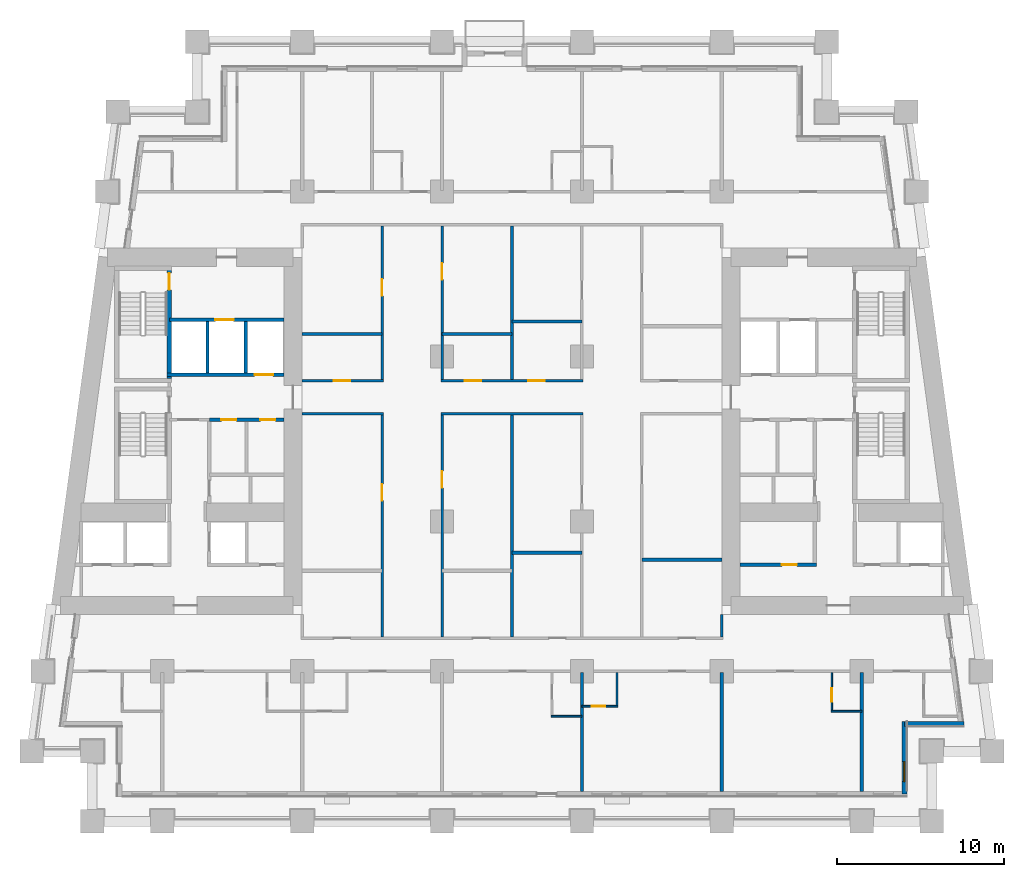
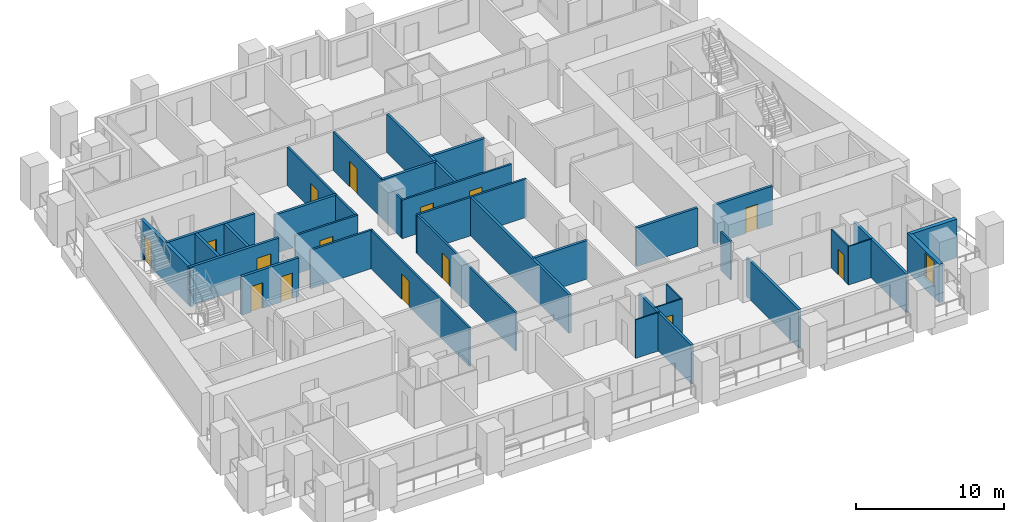
# One storey, part 4 of 13: 33 walls, 15 doors, 1 window, 16 openings.
"""IFC4 building model written with IfcOpenShell, lengths in metres."""

from ifc_helpers import new_model, si_unit, direction, frame, frame_2d, origin, place, context, subcontext, project, spatial, rectangle, extrude, material, layer, layer_set, type_object, element, fill, save


model = new_model("IFC4")

# Units and contexts
model_context = context("Model", 3, precision=1e-05, world=origin(), true_north=direction((0.0, 1.0)))
body_context = subcontext(model_context, "Body", "Model", "MODEL_VIEW")
ifc_project = project(units=[si_unit("LENGTHUNIT", "METRE"), si_unit("AREAUNIT", "SQUARE_METRE"), si_unit("VOLUMEUNIT", "CUBIC_METRE"), si_unit("PLANEANGLEUNIT", "RADIAN"), si_unit("MASSUNIT", "GRAM", prefix="KILO")], contexts=[model_context])

# Site, building, storey
site_placement = place(None, origin())
site = spatial("IfcSite", under=ifc_project, at=site_placement, CompositionType="ELEMENT")
building_placement = place(site_placement, origin())
building = spatial("IfcBuilding", under=site, at=building_placement, Name="Candeia Pilgrim Tower and Theatre", CompositionType="ELEMENT")
storey_placement = place(building_placement, frame((0.0, 0.0, 60.0)))
storey = spatial("IfcBuildingStorey", under=building, at=storey_placement, Name="L12", CompositionType="ELEMENT", Elevation=60.0)

# Wall, opening, window
ifc_material_1 = material(Name="Ceramic block masonry", Category="masonry")
ifc_layer_1 = layer(ifc_material_1, 0.300048828125)
ifc_layer_set_1 = layer_set([ifc_layer_1], Name="EW1 glazing-line wall 300")
wall_type_1 = type_object("IfcWallType", Name="EW1 glazing-line wall 300", PredefinedType="SOLIDWALL", material=ifc_layer_set_1)
wall_1_placement = place(storey_placement, frame((136.949951171875, 99.64990234375, 0.0), z_axis=(0.0, 0.0, 1.0), x_axis=(0.0, 1.0, 0.0)))
wall_1 = element("IfcWall", 1, at=wall_1_placement, inside=storey, type_object=wall_type_1, Name="External wall L12-1.0", PredefinedType="SOLIDWALL", context=body_context, shape_type="SweptSolid", body=[
    extrude(rectangle(XDim=4.35009765625, YDim=0.300048828125, at=frame_2d((2.175048828125, 0.0))), origin(), (0.0, 0.0, 1.0), 3.179931640625),
])
opening_1_placement = place(wall_1_placement, frame((0.72509765625, 0.0, 0.89990234375)))
opening_1 = element("IfcOpeningElement", 2, at=opening_1_placement, cuts=wall_1, Name="Opening W-B", PredefinedType="OPENING", context=body_context, shape_type="SweptSolid", body=[
    extrude(rectangle(XDim=1.199951171875, YDim=2.10009765625, at=frame_2d((0.60009765625, 1.050048828125))), frame((0.0, 0.16015625, 0.0), z_axis=(0.0, -1.0, 0.0), x_axis=(1.0, 0.0, 0.0)), (0.0, 0.0, 1.0), 0.320068359375),
])
ifc_material_2 = material(Name="Aluminium framed double glazing", Category="aluminium")
window_type = type_object("IfcWindowType", Name="W-B window 1200x2100", PartitioningType="SINGLE_PANEL", PredefinedType="WINDOW", material=ifc_material_2)
window_placement = place(opening_1_placement, origin())
window = element("IfcWindow", 3, at=window_placement, inside=storey, type_object=window_type, Name="Window W-B L12", OverallHeight=2.10009765625, OverallWidth=1.199951171875, PartitioningType="SINGLE_PANEL", PredefinedType="WINDOW", context=body_context, shape_type="SweptSolid", body=[
    extrude(rectangle(XDim=1.199951171875, YDim=2.10009765625, at=frame_2d((0.60009765625, 1.050048828125))), frame((0.0, 0.030029296875, 0.0), z_axis=(0.0, -1.0, 0.0), x_axis=(1.0, 0.0, 0.0)), (0.0, 0.0, 1.0), 0.06005859375),
])
fill(opening_1, window)

# Walls
wall_2_placement = place(storey_placement, frame((136.949951171875, 103.85009765625, 0.0), z_axis=(0.0, 0.0, 1.0), x_axis=(1.0, 0.0, 0.0)))
element("IfcWall", 4, at=wall_2_placement, inside=storey, type_object=wall_type_1, Name="External wall L12-2.0", PredefinedType="SOLIDWALL", context=body_context, shape_type="SweptSolid", body=[
    extrude(rectangle(XDim=3.569091796875, YDim=0.300048828125, at=frame_2d((1.78466796875, 0.0))), origin(), (0.0, 0.0, 1.0), 3.179931640625),
])
ifc_material_3 = material(Name="Gypsum board partition on steel studs", Category="steel")
ifc_layer_2 = layer(ifc_material_3, 0.10009765625)
ifc_layer_set_2 = layer_set([ifc_layer_2], Name="PW-100 room partition")
wall_type_2 = type_object("IfcWallType", Name="PW-100 room partition", PredefinedType="PARTITIONING", material=ifc_layer_set_2)
wall_3_placement = place(storey_placement, frame((115.75, 104.300048828125, 0.0), z_axis=(0.0, 0.0, 1.0), x_axis=(1.0, 0.0, 0.0)))
element("IfcWall", 5, at=wall_3_placement, inside=storey, type_object=wall_type_2, Name="Room partition L12-001", PredefinedType="PARTITIONING", context=body_context, shape_type="SweptSolid", body=[
    extrude(rectangle(XDim=1.85009765625, YDim=0.10009765625, at=frame_2d((0.925048828125, 0.0))), origin(), (0.0, 0.0, 1.0), 3.179931640625),
])
wall_4_placement = place(storey_placement, frame((132.550048828125, 104.60009765625, 0.0), z_axis=(0.0, 0.0, 1.0), x_axis=(1.0, 0.0, 0.0)))
element("IfcWall", 6, at=wall_4_placement, inside=storey, type_object=wall_type_2, Name="Room partition L12-005", PredefinedType="PARTITIONING", context=body_context, shape_type="SweptSolid", body=[
    extrude(rectangle(XDim=1.849853515625, YDim=0.10009765625, at=frame_2d((0.9248046875, 0.0))), origin(), (0.0, 0.0, 1.0), 3.179931640625),
])

# Wall, opening, door
wall_5_placement = place(storey_placement, frame((117.60009765625, 104.89990234375, 0.0), z_axis=(0.0, 0.0, 1.0), x_axis=(1.0, 0.0, 0.0)))
wall_5 = element("IfcWall", 7, at=wall_5_placement, inside=storey, type_object=wall_type_2, Name="Room partition L12-006", PredefinedType="PARTITIONING", context=body_context, shape_type="SweptSolid", body=[
    extrude(rectangle(XDim=2.14990234375, YDim=0.10009765625, at=frame_2d((1.074951171875, 0.0))), origin(), (0.0, 0.0, 1.0), 3.179931640625),
])
opening_2_placement = place(wall_5_placement, frame((0.590087890625, 0.0, 0.0)))
opening_2 = element("IfcOpeningElement", 8, at=opening_2_placement, cuts=wall_5, Name="Opening L12-D025", PredefinedType="OPENING", context=body_context, shape_type="SweptSolid", body=[
    extrude(rectangle(XDim=0.800048828125, YDim=2.10009765625, at=frame_2d((0.39990234375, 1.050048828125))), frame((0.0, 0.06005859375, 0.0), z_axis=(0.0, -1.0, 0.0), x_axis=(1.0, 0.0, 0.0)), (0.0, 0.0, 1.0), 0.1201171875),
])
ifc_material_4 = material(Name="Timber door leaf", Category="wood")
door_type_1 = type_object("IfcDoorType", Name="D-800", OperationType="NOTDEFINED", PredefinedType="DOOR", material=ifc_material_4)
door_1_placement = place(opening_2_placement, origin())
door_1 = element("IfcDoor", 9, at=door_1_placement, inside=storey, type_object=door_type_1, Name="Door L12-D025", OperationType="SINGLE_SWING_LEFT", OverallHeight=2.10009765625, OverallWidth=0.800048828125, PredefinedType="DOOR", context=body_context, shape_type="SweptSolid", body=[
    extrude(rectangle(XDim=0.800048828125, YDim=2.10009765625, at=frame_2d((0.39990234375, 1.050048828125))), frame((0.0, 0.02490234375, 0.0), z_axis=(0.0, -1.0, 0.0), x_axis=(1.0, 0.0, 0.0)), (0.0, 0.0, 1.0), 0.050048828125),
])
fill(opening_2, door_1)

# Wall
wall_6_placement = place(storey_placement, frame((119.699951171875, 104.949951171875, 0.0), z_axis=(0.0, 0.0, 1.0), x_axis=(0.0, 1.0, 0.0)))
element("IfcWall", 10, at=wall_6_placement, inside=storey, type_object=wall_type_2, Name="Room partition L12-098", PredefinedType="PARTITIONING", context=body_context, shape_type="SweptSolid", body=[
    extrude(rectangle(XDim=1.97509765625, YDim=0.10009765625, at=frame_2d((0.987548828125, 0.0))), origin(), (0.0, 0.0, 1.0), 3.179931640625),
])

# Wall, opening, door
wall_7_placement = place(storey_placement, frame((132.60009765625, 104.64990234375, 0.0), z_axis=(0.0, 0.0, 1.0), x_axis=(0.0, 1.0, 0.0)))
wall_7 = element("IfcWall", 11, at=wall_7_placement, inside=storey, type_object=wall_type_2, Name="Room partition L12-112", PredefinedType="PARTITIONING", context=body_context, shape_type="SweptSolid", body=[
    extrude(rectangle(XDim=2.275146484375, YDim=0.10009765625, at=frame_2d((1.1376953125, 0.0))), origin(), (0.0, 0.0, 1.0), 3.179931640625),
])
opening_3_placement = place(wall_7_placement, frame((0.52490234375, 0.0, 0.0)))
opening_3 = element("IfcOpeningElement", 12, at=opening_3_placement, cuts=wall_7, Name="Opening L12-D027", PredefinedType="OPENING", context=body_context, shape_type="SweptSolid", body=[
    extrude(rectangle(XDim=0.800048828125, YDim=2.10009765625, at=frame_2d((0.39990234375, 1.050048828125))), frame((0.0, 0.06005859375, 0.0), z_axis=(0.0, -1.0, 0.0), x_axis=(1.0, 0.0, 0.0)), (0.0, 0.0, 1.0), 0.1201171875),
])
door_2_placement = place(opening_3_placement, origin())
door_2 = element("IfcDoor", 13, at=door_2_placement, inside=storey, type_object=door_type_1, Name="Door L12-D027", OperationType="SINGLE_SWING_LEFT", OverallHeight=2.10009765625, OverallWidth=0.800048828125, PredefinedType="DOOR", context=body_context, shape_type="SweptSolid", body=[
    extrude(rectangle(XDim=0.800048828125, YDim=2.10009765625, at=frame_2d((0.39990234375, 1.050048828125))), frame((0.0, 0.02490234375, 0.0), z_axis=(0.0, -1.0, 0.0), x_axis=(1.0, 0.0, 0.0)), (0.0, 0.0, 1.0), 0.050048828125),
])
fill(opening_3, door_2)

# Walls
ifc_layer_3 = layer(ifc_material_3, 0.14990234375)
ifc_layer_set_3 = layer_set([ifc_layer_3], Name="PW-150 unit wall")
wall_type_3 = type_object("IfcWallType", Name="PW-150 unit wall", PredefinedType="PARTITIONING", material=ifc_layer_set_3)
wall_8_placement = place(storey_placement, frame((100.800048828125, 122.449951171875, 0.0), z_axis=(0.0, 0.0, 1.0), x_axis=(1.0, 0.0, 0.0)))
element("IfcWall", 14, at=wall_8_placement, inside=storey, type_object=wall_type_3, Name="Unit wall L12-025", PredefinedType="PARTITIONING", context=body_context, shape_type="SweptSolid", body=[
    extrude(rectangle(XDim=4.875, YDim=0.14990234375, at=frame_2d((2.4375, 0.0))), origin(), (0.0, 0.0, 1.0), 3.179931640625),
])
wall_9_placement = place(storey_placement, frame((109.125, 122.449951171875, 0.0), z_axis=(0.0, 0.0, 1.0), x_axis=(1.0, 0.0, 0.0)))
element("IfcWall", 15, at=wall_9_placement, inside=storey, type_object=wall_type_3, Name="Unit wall L12-026", PredefinedType="PARTITIONING", context=body_context, shape_type="SweptSolid", body=[
    extrude(rectangle(XDim=8.550048828125, YDim=0.14990234375, at=frame_2d((4.27490234375, 0.0))), origin(), (0.0, 0.0, 1.0), 3.179931640625),
])

# Wall, opening, door
wall_10_placement = place(storey_placement, frame((100.800048828125, 124.449951171875, 0.0), z_axis=(0.0, 0.0, 1.0), x_axis=(1.0, 0.0, 0.0)))
wall_10 = element("IfcWall", 16, at=wall_10_placement, inside=storey, type_object=wall_type_3, Name="Unit wall L12-032", PredefinedType="PARTITIONING", context=body_context, shape_type="SweptSolid", body=[
    extrude(rectangle(XDim=4.875, YDim=0.14990234375, at=frame_2d((2.4375, 0.0))), origin(), (0.0, 0.0, 1.0), 3.179931640625),
])
opening_4_placement = place(wall_10_placement, frame((1.89990234375, 0.0, 0.0)))
opening_4 = element("IfcOpeningElement", 17, at=opening_4_placement, cuts=wall_10, Name="Opening L12-D043", PredefinedType="OPENING", context=body_context, shape_type="SweptSolid", body=[
    extrude(rectangle(XDim=1.0, YDim=2.10009765625, at=frame_2d((0.5, 1.050048828125))), frame((0.0, 0.0849609375, 0.0), z_axis=(0.0, -1.0, 0.0), x_axis=(1.0, 0.0, 0.0)), (0.0, 0.0, 1.0), 0.169921875),
])
ifc_material_5 = material(Name="Steel fire door set", Category="steel")
door_type_2 = type_object("IfcDoorType", Name="D-1000-FD30S", OperationType="NOTDEFINED", PredefinedType="DOOR", material=ifc_material_5)
door_3_placement = place(opening_4_placement, origin())
door_3 = element("IfcDoor", 18, at=door_3_placement, inside=storey, type_object=door_type_2, Name="Door L12-D043", OperationType="SINGLE_SWING_LEFT", OverallHeight=2.10009765625, OverallWidth=1.0, PredefinedType="DOOR", context=body_context, shape_type="SweptSolid", body=[
    extrude(rectangle(XDim=1.0, YDim=2.10009765625, at=frame_2d((0.5, 1.050048828125))), frame((0.0, 0.02490234375, 0.0), z_axis=(0.0, -1.0, 0.0), x_axis=(1.0, 0.0, 0.0)), (0.0, 0.0, 1.0), 0.050048828125),
])
fill(opening_4, door_3)

# Wall, openings, doors
wall_11_placement = place(storey_placement, frame((109.125, 124.449951171875, 0.0), z_axis=(0.0, 0.0, 1.0), x_axis=(1.0, 0.0, 0.0)))
wall_11 = element("IfcWall", 19, at=wall_11_placement, inside=storey, type_object=wall_type_3, Name="Unit wall L12-033", PredefinedType="PARTITIONING", context=body_context, shape_type="SweptSolid", body=[
    extrude(rectangle(XDim=8.550048828125, YDim=0.14990234375, at=frame_2d((4.27490234375, 0.0))), origin(), (0.0, 0.0, 1.0), 3.179931640625),
])
opening_5_placement = place(wall_11_placement, frame((1.425048828125, 0.0, 0.0)))
opening_5 = element("IfcOpeningElement", 20, at=opening_5_placement, cuts=wall_11, Name="Opening L12-D047", PredefinedType="OPENING", context=body_context, shape_type="SweptSolid", body=[
    extrude(rectangle(XDim=1.0, YDim=2.10009765625, at=frame_2d((0.5, 1.050048828125))), frame((0.0, 0.0849609375, 0.0), z_axis=(0.0, -1.0, 0.0), x_axis=(1.0, 0.0, 0.0)), (0.0, 0.0, 1.0), 0.169921875),
])
opening_6_placement = place(wall_11_placement, frame((5.25, 0.0, 0.0)))
opening_6 = element("IfcOpeningElement", 21, at=opening_6_placement, cuts=wall_11, Name="Opening L12-D051", PredefinedType="OPENING", context=body_context, shape_type="SweptSolid", body=[
    extrude(rectangle(XDim=1.0, YDim=2.10009765625, at=frame_2d((0.5, 1.050048828125))), frame((0.0, 0.0849609375, 0.0), z_axis=(0.0, -1.0, 0.0), x_axis=(1.0, 0.0, 0.0)), (0.0, 0.0, 1.0), 0.169921875),
])
door_4_placement = place(opening_5_placement, origin())
door_4 = element("IfcDoor", 22, at=door_4_placement, inside=storey, type_object=door_type_2, Name="Door L12-D047", OperationType="SINGLE_SWING_LEFT", OverallHeight=2.10009765625, OverallWidth=1.0, PredefinedType="DOOR", context=body_context, shape_type="SweptSolid", body=[
    extrude(rectangle(XDim=1.0, YDim=2.10009765625, at=frame_2d((0.5, 1.050048828125))), frame((0.0, 0.02490234375, 0.0), z_axis=(0.0, -1.0, 0.0), x_axis=(1.0, 0.0, 0.0)), (0.0, 0.0, 1.0), 0.050048828125),
])
fill(opening_5, door_4)
door_5_placement = place(opening_6_placement, origin())
door_5 = element("IfcDoor", 23, at=door_5_placement, inside=storey, type_object=door_type_2, Name="Door L12-D051", OperationType="SINGLE_SWING_LEFT", OverallHeight=2.10009765625, OverallWidth=1.0, PredefinedType="DOOR", context=body_context, shape_type="SweptSolid", body=[
    extrude(rectangle(XDim=1.0, YDim=2.10009765625, at=frame_2d((0.5, 1.050048828125))), frame((0.0, 0.02490234375, 0.0), z_axis=(0.0, -1.0, 0.0), x_axis=(1.0, 0.0, 0.0)), (0.0, 0.0, 1.0), 0.050048828125),
])
fill(opening_6, door_5)

# Wall, opening, door
wall_12_placement = place(storey_placement, frame((105.60009765625, 109.074951171875, 0.0), z_axis=(0.0, 0.0, 1.0), x_axis=(0.0, 1.0, 0.0)))
wall_12 = element("IfcWall", 24, at=wall_12_placement, inside=storey, type_object=wall_type_3, Name="Unit wall L12-082", PredefinedType="PARTITIONING", context=body_context, shape_type="SweptSolid", body=[
    extrude(rectangle(XDim=13.300048828125, YDim=0.14990234375, at=frame_2d((6.64990234375, 0.0))), origin(), (0.0, 0.0, 1.0), 3.179931640625),
])
opening_7_placement = place(wall_12_placement, frame((8.1669921875, 0.0, 0.0)))
opening_7 = element("IfcOpeningElement", 25, at=opening_7_placement, cuts=wall_12, Name="Opening L12-D042", PredefinedType="OPENING", context=body_context, shape_type="SweptSolid", body=[
    extrude(rectangle(XDim=1.0, YDim=2.10009765625, at=frame_2d((0.5, 1.050048828125))), frame((0.0, 0.0849609375, 0.0), z_axis=(0.0, -1.0, 0.0), x_axis=(1.0, 0.0, 0.0)), (0.0, 0.0, 1.0), 0.169921875),
])
door_6_placement = place(opening_7_placement, origin())
door_6 = element("IfcDoor", 26, at=door_6_placement, inside=storey, type_object=door_type_2, Name="Door L12-D042", OperationType="SINGLE_SWING_RIGHT", OverallHeight=2.10009765625, OverallWidth=1.0, PredefinedType="DOOR", context=body_context, shape_type="SweptSolid", body=[
    extrude(rectangle(XDim=1.0, YDim=2.10009765625, at=frame_2d((0.5, 1.050048828125))), frame((0.0, 0.02490234375, 0.0), z_axis=(0.0, -1.0, 0.0), x_axis=(1.0, 0.0, 0.0)), (0.0, 0.0, 1.0), 0.050048828125),
])
fill(opening_7, door_6)

wall_13_placement = place(storey_placement, frame((105.60009765625, 124.52490234375, 0.0), z_axis=(0.0, 0.0, 1.0), x_axis=(0.0, 1.0, 0.0)))
wall_13 = element("IfcWall", 27, at=wall_13_placement, inside=storey, type_object=wall_type_3, Name="Unit wall L12-083", PredefinedType="PARTITIONING", context=body_context, shape_type="SweptSolid", body=[
    extrude(rectangle(XDim=9.2001953125, YDim=0.14990234375, at=frame_2d((4.60009765625, 0.0))), origin(), (0.0, 0.0, 1.0), 3.179931640625),
])
opening_8_placement = place(wall_13_placement, frame((5.01806640625, 0.0, 0.0)))
opening_8 = element("IfcOpeningElement", 28, at=opening_8_placement, cuts=wall_13, Name="Opening L12-D044", PredefinedType="OPENING", context=body_context, shape_type="SweptSolid", body=[
    extrude(rectangle(XDim=1.0, YDim=2.10009765625, at=frame_2d((0.5, 1.050048828125))), frame((0.0, 0.0849609375, 0.0), z_axis=(0.0, -1.0, 0.0), x_axis=(1.0, 0.0, 0.0)), (0.0, 0.0, 1.0), 0.169921875),
])
door_7_placement = place(opening_8_placement, origin())
door_7 = element("IfcDoor", 29, at=door_7_placement, inside=storey, type_object=door_type_2, Name="Door L12-D044", OperationType="SINGLE_SWING_RIGHT", OverallHeight=2.10009765625, OverallWidth=1.0, PredefinedType="DOOR", context=body_context, shape_type="SweptSolid", body=[
    extrude(rectangle(XDim=1.0, YDim=2.10009765625, at=frame_2d((0.5, 1.050048828125))), frame((0.0, 0.02490234375, 0.0), z_axis=(0.0, -1.0, 0.0), x_axis=(1.0, 0.0, 0.0)), (0.0, 0.0, 1.0), 0.050048828125),
])
fill(opening_8, door_7)

wall_14_placement = place(storey_placement, frame((109.199951171875, 109.074951171875, 0.0), z_axis=(0.0, 0.0, 1.0), x_axis=(0.0, 1.0, 0.0)))
wall_14 = element("IfcWall", 30, at=wall_14_placement, inside=storey, type_object=wall_type_3, Name="Unit wall L12-087", PredefinedType="PARTITIONING", context=body_context, shape_type="SweptSolid", body=[
    extrude(rectangle(XDim=13.300048828125, YDim=0.14990234375, at=frame_2d((6.64990234375, 0.0))), origin(), (0.0, 0.0, 1.0), 3.179931640625),
])
opening_9_placement = place(wall_14_placement, frame((8.93896484375, 0.0, 0.0)))
opening_9 = element("IfcOpeningElement", 31, at=opening_9_placement, cuts=wall_14, Name="Opening L12-D046", PredefinedType="OPENING", context=body_context, shape_type="SweptSolid", body=[
    extrude(rectangle(XDim=1.0, YDim=2.10009765625, at=frame_2d((0.5, 1.050048828125))), frame((0.0, 0.0849609375, 0.0), z_axis=(0.0, -1.0, 0.0), x_axis=(1.0, 0.0, 0.0)), (0.0, 0.0, 1.0), 0.169921875),
])
door_8_placement = place(opening_9_placement, origin())
door_8 = element("IfcDoor", 32, at=door_8_placement, inside=storey, type_object=door_type_2, Name="Door L12-D046", OperationType="SINGLE_SWING_RIGHT", OverallHeight=2.10009765625, OverallWidth=1.0, PredefinedType="DOOR", context=body_context, shape_type="SweptSolid", body=[
    extrude(rectangle(XDim=1.0, YDim=2.10009765625, at=frame_2d((0.5, 1.050048828125))), frame((0.0, 0.02490234375, 0.0), z_axis=(0.0, -1.0, 0.0), x_axis=(1.0, 0.0, 0.0)), (0.0, 0.0, 1.0), 0.050048828125),
])
fill(opening_9, door_8)

wall_15_placement = place(storey_placement, frame((109.199951171875, 124.52490234375, 0.0), z_axis=(0.0, 0.0, 1.0), x_axis=(0.0, 1.0, 0.0)))
wall_15 = element("IfcWall", 33, at=wall_15_placement, inside=storey, type_object=wall_type_3, Name="Unit wall L12-088", PredefinedType="PARTITIONING", context=body_context, shape_type="SweptSolid", body=[
    extrude(rectangle(XDim=9.2001953125, YDim=0.14990234375, at=frame_2d((4.60009765625, 0.0))), origin(), (0.0, 0.0, 1.0), 3.179931640625),
])
opening_10_placement = place(wall_15_placement, frame((5.987060546875, 0.0, 0.0)))
opening_10 = element("IfcOpeningElement", 34, at=opening_10_placement, cuts=wall_15, Name="Opening L12-D048", PredefinedType="OPENING", context=body_context, shape_type="SweptSolid", body=[
    extrude(rectangle(XDim=1.0, YDim=2.10009765625, at=frame_2d((0.5, 1.050048828125))), frame((0.0, 0.0849609375, 0.0), z_axis=(0.0, -1.0, 0.0), x_axis=(1.0, 0.0, 0.0)), (0.0, 0.0, 1.0), 0.169921875),
])
door_9_placement = place(opening_10_placement, origin())
door_9 = element("IfcDoor", 35, at=door_9_placement, inside=storey, type_object=door_type_2, Name="Door L12-D048", OperationType="SINGLE_SWING_RIGHT", OverallHeight=2.10009765625, OverallWidth=1.0, PredefinedType="DOOR", context=body_context, shape_type="SweptSolid", body=[
    extrude(rectangle(XDim=1.0, YDim=2.10009765625, at=frame_2d((0.5, 1.050048828125))), frame((0.0, 0.02490234375, 0.0), z_axis=(0.0, -1.0, 0.0), x_axis=(1.0, 0.0, 0.0)), (0.0, 0.0, 1.0), 0.050048828125),
])
fill(opening_10, door_9)

# Walls
wall_16_placement = place(storey_placement, frame((126.0, 109.074951171875, 0.0), z_axis=(0.0, 0.0, 1.0), x_axis=(0.0, 1.0, 0.0)))
element("IfcWall", 36, at=wall_16_placement, inside=storey, type_object=wall_type_3, Name="Unit wall L12-103", PredefinedType="PARTITIONING", context=body_context, shape_type="SweptSolid", body=[
    extrude(rectangle(XDim=1.324951171875, YDim=0.14990234375, at=frame_2d((0.66259765625, 0.0))), origin(), (0.0, 0.0, 1.0), 3.179931640625),
])
ifc_layer_4 = layer(ifc_material_3, 0.199951171875)
ifc_layer_set_4 = layer_set([ifc_layer_4], Name="PW-200 party wall")
wall_type_4 = type_object("IfcWallType", Name="PW-200 party wall", PredefinedType="PARTITIONING", material=ifc_layer_set_4)
wall_17_placement = place(storey_placement, frame((121.199951171875, 113.70751953125, 0.0), z_axis=(0.0, 0.0, 1.0), x_axis=(1.0, 0.0, 0.0)))
element("IfcWall", 37, at=wall_17_placement, inside=storey, type_object=wall_type_4, Name="Party wall L12-015", PredefinedType="PARTITIONING", context=body_context, shape_type="SweptSolid", body=[
    extrude(rectangle(XDim=4.800048828125, YDim=0.199951171875, at=frame_2d((2.39990234375, 0.0))), origin(), (0.0, 0.0, 1.0), 3.179931640625),
])
wall_18_placement = place(storey_placement, frame((113.39990234375, 114.111083984375, 0.0), z_axis=(0.0, 0.0, 1.0), x_axis=(1.0, 0.0, 0.0)))
element("IfcWall", 38, at=wall_18_placement, inside=storey, type_object=wall_type_4, Name="Party wall L12-016", PredefinedType="PARTITIONING", context=body_context, shape_type="SweptSolid", body=[
    extrude(rectangle(XDim=4.2001953125, YDim=0.199951171875, at=frame_2d((2.10009765625, 0.0))), origin(), (0.0, 0.0, 1.0), 3.179931640625),
])
wall_19_placement = place(storey_placement, frame((100.800048828125, 127.2548828125, 0.0), z_axis=(0.0, 0.0, 1.0), x_axis=(1.0, 0.0, 0.0)))
element("IfcWall", 39, at=wall_19_placement, inside=storey, type_object=wall_type_4, Name="Party wall L12-038", PredefinedType="PARTITIONING", context=body_context, shape_type="SweptSolid", body=[
    extrude(rectangle(XDim=4.800048828125, YDim=0.199951171875, at=frame_2d((2.39990234375, 0.0))), origin(), (0.0, 0.0, 1.0), 3.179931640625),
])
wall_20_placement = place(storey_placement, frame((109.199951171875, 127.2548828125, 0.0), z_axis=(0.0, 0.0, 1.0), x_axis=(1.0, 0.0, 0.0)))
element("IfcWall", 40, at=wall_20_placement, inside=storey, type_object=wall_type_4, Name="Party wall L12-039", PredefinedType="PARTITIONING", context=body_context, shape_type="SweptSolid", body=[
    extrude(rectangle(XDim=4.199951171875, YDim=0.199951171875, at=frame_2d((2.10009765625, 0.0))), origin(), (0.0, 0.0, 1.0), 3.179931640625),
])
wall_21_placement = place(storey_placement, frame((113.39990234375, 128.0029296875, 0.0), z_axis=(0.0, 0.0, 1.0), x_axis=(1.0, 0.0, 0.0)))
element("IfcWall", 41, at=wall_21_placement, inside=storey, type_object=wall_type_4, Name="Party wall L12-041", PredefinedType="PARTITIONING", context=body_context, shape_type="SweptSolid", body=[
    extrude(rectangle(XDim=4.2001953125, YDim=0.199951171875, at=frame_2d((2.10009765625, 0.0))), origin(), (0.0, 0.0, 1.0), 3.179931640625),
])
wall_22_placement = place(storey_placement, frame((113.39990234375, 109.074951171875, 0.0), z_axis=(0.0, 0.0, 1.0), x_axis=(0.0, 1.0, 0.0)))
element("IfcWall", 42, at=wall_22_placement, inside=storey, type_object=wall_type_4, Name="Party wall L12-089", PredefinedType="PARTITIONING", context=body_context, shape_type="SweptSolid", body=[
    extrude(rectangle(XDim=13.300048828125, YDim=0.199951171875, at=frame_2d((6.64990234375, 0.0))), origin(), (0.0, 0.0, 1.0), 3.179931640625),
])
wall_23_placement = place(storey_placement, frame((113.39990234375, 124.52490234375, 0.0), z_axis=(0.0, 0.0, 1.0), x_axis=(0.0, 1.0, 0.0)))
element("IfcWall", 43, at=wall_23_placement, inside=storey, type_object=wall_type_4, Name="Party wall L12-090", PredefinedType="PARTITIONING", context=body_context, shape_type="SweptSolid", body=[
    extrude(rectangle(XDim=9.2001953125, YDim=0.199951171875, at=frame_2d((4.60009765625, 0.0))), origin(), (0.0, 0.0, 1.0), 3.179931640625),
])
for number, where, z_axis, x_axis, name in (
    (44, (117.60009765625, 99.7900390625, 0.0), (0.0, 0.0, 1.0), (0.0, 1.0, 0.0), "Party wall L12-093"),
    (45, (126.0, 99.7900390625, 0.0), (0.0, 0.0, 1.0), (0.0, 1.0, 0.0), "Party wall L12-101"),
    (46, (134.39990234375, 99.7900390625, 0.0), (0.0, 0.0, 1.0), (0.0, 1.0, 0.0), "Party wall L12-118"),
):
    element("IfcWall", number, at=place(storey_placement, frame(where, z_axis=z_axis, x_axis=x_axis)), inside=storey, type_object=wall_type_4, Name=name, PredefinedType="PARTITIONING", context=body_context, shape_type="SweptSolid", body=[
        extrude(rectangle(XDim=7.135009765625, YDim=0.199951171875, at=frame_2d((3.5673828125, 0.0))), origin(), (0.0, 0.0, 1.0), 3.179931640625),
    ])

# Wall, opening, door
ifc_material_6 = material(Name="Concrete C40/50", Category="concrete")
ifc_layer_5 = layer(ifc_material_6, 0.199951171875)
ifc_layer_set_5 = layer_set([ifc_layer_5], Name="SW-200 shaft wall")
wall_type_5 = type_object("IfcWallType", Name="SW-200 shaft wall", PredefinedType="PARTITIONING", material=ifc_layer_set_5)
wall_24_placement = place(storey_placement, frame((127.10009765625, 113.39990234375, 0.0), z_axis=(0.0, 0.0, 1.0), x_axis=(1.0, 0.0, 0.0)))
wall_24 = element("IfcWall", 47, at=wall_24_placement, inside=storey, type_object=wall_type_5, Name="Shaft wall L12-013", PredefinedType="PARTITIONING", context=body_context, shape_type="SweptSolid", body=[
    extrude(rectangle(XDim=4.572998046875, YDim=0.199951171875, at=frame_2d((2.28662109375, 0.0))), origin(), (0.0, 0.0, 1.0), 3.179931640625),
])
opening_11_placement = place(wall_24_placement, frame((2.5048828125, 0.0, 0.0)))
opening_11 = element("IfcOpeningElement", 48, at=opening_11_placement, cuts=wall_24, Name="Opening L12-D015", PredefinedType="OPENING", context=body_context, shape_type="SweptSolid", body=[
    extrude(rectangle(XDim=0.89990234375, YDim=2.10009765625, at=frame_2d((0.449951171875, 1.050048828125))), frame((0.0, 0.10986328125, 0.0), z_axis=(0.0, -1.0, 0.0), x_axis=(1.0, 0.0, 0.0)), (0.0, 0.0, 1.0), 0.219970703125),
])
door_type_3 = type_object("IfcDoorType", Name="D-900-FD60", OperationType="NOTDEFINED", PredefinedType="DOOR", material=ifc_material_5)
door_10_placement = place(opening_11_placement, origin())
door_10 = element("IfcDoor", 49, at=door_10_placement, inside=storey, type_object=door_type_3, Name="Door L12-D015", OperationType="SINGLE_SWING_LEFT", OverallHeight=2.10009765625, OverallWidth=0.89990234375, PredefinedType="DOOR", context=body_context, shape_type="SweptSolid", body=[
    extrude(rectangle(XDim=0.89990234375, YDim=2.10009765625, at=frame_2d((0.449951171875, 1.050048828125))), frame((0.0, 0.02490234375, 0.0), z_axis=(0.0, -1.0, 0.0), x_axis=(1.0, 0.0, 0.0)), (0.0, 0.0, 1.0), 0.050048828125),
])
fill(opening_11, door_10)

# Wall, openings, doors
wall_25_placement = place(storey_placement, frame((95.22705078125, 122.10009765625, 0.0), z_axis=(0.0, 0.0, 1.0), x_axis=(1.0, 0.0, 0.0)))
wall_25 = element("IfcWall", 50, at=wall_25_placement, inside=storey, type_object=wall_type_5, Name="Shaft wall L12-021", PredefinedType="PARTITIONING", context=body_context, shape_type="SweptSolid", body=[
    extrude(rectangle(XDim=4.472900390625, YDim=0.199951171875, at=frame_2d((2.236328125, 0.0))), origin(), (0.0, 0.0, 1.0), 3.179931640625),
])
opening_12_placement = place(wall_25_placement, frame((0.73193359375, 0.0, 0.0)))
opening_12 = element("IfcOpeningElement", 51, at=opening_12_placement, cuts=wall_25, Name="Opening L12-D002", PredefinedType="OPENING", context=body_context, shape_type="SweptSolid", body=[
    extrude(rectangle(XDim=0.89990234375, YDim=2.10009765625, at=frame_2d((0.449951171875, 1.050048828125))), frame((0.0, 0.10986328125, 0.0), z_axis=(0.0, -1.0, 0.0), x_axis=(1.0, 0.0, 0.0)), (0.0, 0.0, 1.0), 0.219970703125),
])
opening_13_placement = place(wall_25_placement, frame((3.06396484375, 0.0, 0.0)))
opening_13 = element("IfcOpeningElement", 52, at=opening_13_placement, cuts=wall_25, Name="Opening L12-D003", PredefinedType="OPENING", context=body_context, shape_type="SweptSolid", body=[
    extrude(rectangle(XDim=0.89990234375, YDim=2.10009765625, at=frame_2d((0.449951171875, 1.050048828125))), frame((0.0, 0.10986328125, 0.0), z_axis=(0.0, -1.0, 0.0), x_axis=(1.0, 0.0, 0.0)), (0.0, 0.0, 1.0), 0.219970703125),
])
door_11_placement = place(opening_12_placement, origin())
door_11 = element("IfcDoor", 53, at=door_11_placement, inside=storey, type_object=door_type_3, Name="Door L12-D002", OperationType="SINGLE_SWING_RIGHT", OverallHeight=2.10009765625, OverallWidth=0.89990234375, PredefinedType="DOOR", context=body_context, shape_type="SweptSolid", body=[
    extrude(rectangle(XDim=0.89990234375, YDim=2.10009765625, at=frame_2d((0.449951171875, 1.050048828125))), frame((0.0, 0.02490234375, 0.0), z_axis=(0.0, -1.0, 0.0), x_axis=(1.0, 0.0, 0.0)), (0.0, 0.0, 1.0), 0.050048828125),
])
fill(opening_12, door_11)
door_12_placement = place(opening_13_placement, origin())
door_12 = element("IfcDoor", 54, at=door_12_placement, inside=storey, type_object=door_type_3, Name="Door L12-D003", OperationType="SINGLE_SWING_LEFT", OverallHeight=2.10009765625, OverallWidth=0.89990234375, PredefinedType="DOOR", context=body_context, shape_type="SweptSolid", body=[
    extrude(rectangle(XDim=0.89990234375, YDim=2.10009765625, at=frame_2d((0.449951171875, 1.050048828125))), frame((0.0, 0.02490234375, 0.0), z_axis=(0.0, -1.0, 0.0), x_axis=(1.0, 0.0, 0.0)), (0.0, 0.0, 1.0), 0.050048828125),
])
fill(opening_13, door_12)

# Wall, opening, door
wall_26_placement = place(storey_placement, frame((92.701904296875, 124.800048828125, 0.0), z_axis=(0.0, 0.0, 1.0), x_axis=(1.0, 0.0, 0.0)))
wall_26 = element("IfcWall", 55, at=wall_26_placement, inside=storey, type_object=wall_type_5, Name="Shaft wall L12-035", PredefinedType="PARTITIONING", context=body_context, shape_type="SweptSolid", body=[
    extrude(rectangle(XDim=6.998046875, YDim=0.199951171875, at=frame_2d((3.4990234375, 0.0))), origin(), (0.0, 0.0, 1.0), 3.179931640625),
])
opening_14_placement = place(wall_26_placement, frame((5.2529296875, 0.0, 0.0)))
opening_14 = element("IfcOpeningElement", 56, at=opening_14_placement, cuts=wall_26, Name="Opening L12-LD02", PredefinedType="OPENING", context=body_context, shape_type="SweptSolid", body=[
    extrude(rectangle(XDim=1.10009765625, YDim=2.10009765625, at=frame_2d((0.550048828125, 1.050048828125))), frame((0.0, 0.10986328125, 0.0), z_axis=(0.0, -1.0, 0.0), x_axis=(1.0, 0.0, 0.0)), (0.0, 0.0, 1.0), 0.219970703125),
])
ifc_material_7 = material(Name="Glazed aluminium landing door", Category="aluminium")
door_type_4 = type_object("IfcDoorType", Name="LD-1100-EI120", OperationType="SLIDING_TO_LEFT", PredefinedType="DOOR", material=ifc_material_7)
door_13_placement = place(opening_14_placement, origin())
door_13 = element("IfcDoor", 57, at=door_13_placement, inside=storey, type_object=door_type_4, Name="Landing door 02 L12", OperationType="SLIDING_TO_LEFT", OverallHeight=2.10009765625, OverallWidth=1.10009765625, PredefinedType="DOOR", context=body_context, shape_type="SweptSolid", body=[
    extrude(rectangle(XDim=1.10009765625, YDim=2.10009765625, at=frame_2d((0.550048828125, 1.050048828125))), frame((0.0, 0.02490234375, 0.0), z_axis=(0.0, -1.0, 0.0), x_axis=(1.0, 0.0, 0.0)), (0.0, 0.0, 1.0), 0.050048828125),
])
fill(opening_14, door_13)

wall_27_placement = place(storey_placement, frame((92.826904296875, 128.10009765625, 0.0), z_axis=(0.0, 0.0, 1.0), x_axis=(1.0, 0.0, 0.0)))
wall_27 = element("IfcWall", 58, at=wall_27_placement, inside=storey, type_object=wall_type_5, Name="Shaft wall L12-042", PredefinedType="PARTITIONING", context=body_context, shape_type="SweptSolid", body=[
    extrude(rectangle(XDim=6.873046875, YDim=0.199951171875, at=frame_2d((3.4365234375, 0.0))), origin(), (0.0, 0.0, 1.0), 3.179931640625),
])
opening_15_placement = place(wall_27_placement, frame((2.763916015625, 0.0, 0.0)))
opening_15 = element("IfcOpeningElement", 59, at=opening_15_placement, cuts=wall_27, Name="Opening L12-LD01", PredefinedType="OPENING", context=body_context, shape_type="SweptSolid", body=[
    extrude(rectangle(XDim=1.10009765625, YDim=2.10009765625, at=frame_2d((0.550048828125, 1.050048828125))), frame((0.0, 0.10986328125, 0.0), z_axis=(0.0, -1.0, 0.0), x_axis=(1.0, 0.0, 0.0)), (0.0, 0.0, 1.0), 0.219970703125),
])
door_14_placement = place(opening_15_placement, origin())
door_14 = element("IfcDoor", 60, at=door_14_placement, inside=storey, type_object=door_type_4, Name="Landing door 01 L12", OperationType="SLIDING_TO_LEFT", OverallHeight=2.10009765625, OverallWidth=1.10009765625, PredefinedType="DOOR", context=body_context, shape_type="SweptSolid", body=[
    extrude(rectangle(XDim=1.10009765625, YDim=2.10009765625, at=frame_2d((0.550048828125, 1.050048828125))), frame((0.0, 0.02490234375, 0.0), z_axis=(0.0, -1.0, 0.0), x_axis=(1.0, 0.0, 0.0)), (0.0, 0.0, 1.0), 0.050048828125),
])
fill(opening_15, door_14)

# Walls
for number, where, z_axis, x_axis, name in (
    (61, (95.117919921875, 124.89990234375, 0.0), (0.0, 0.0, 1.0), (0.0, 1.0, 0.0), "Shaft wall L12-067"),
    (62, (97.408935546875, 124.89990234375, 0.0), (0.0, 0.0, 1.0), (0.0, 1.0, 0.0), "Shaft wall L12-071"),
):
    element("IfcWall", number, at=place(storey_placement, frame(where, z_axis=z_axis, x_axis=x_axis)), inside=storey, type_object=wall_type_5, Name=name, PredefinedType="PARTITIONING", context=body_context, shape_type="SweptSolid", body=[
        extrude(rectangle(XDim=3.10009765625, YDim=0.199951171875, at=frame_2d((1.550048828125, 0.0))), origin(), (0.0, 0.0, 1.0), 3.179931640625),
    ])

# Wall, opening, door
ifc_layer_6 = layer(ifc_material_6, 0.25)
ifc_layer_set_6 = layer_set([ifc_layer_6], Name="SW-250 stair wall")
wall_type_6 = type_object("IfcWallType", Name="SW-250 stair wall", PredefinedType="PARTITIONING", material=ifc_layer_set_6)
wall_28_placement = place(storey_placement, frame((92.826904296875, 124.574951171875, 0.0), z_axis=(0.0, 0.0, 1.0), x_axis=(0.0, 1.0, 0.0)))
wall_28 = element("IfcWall", 63, at=wall_28_placement, inside=storey, type_object=wall_type_6, Name="Stair wall L12-064", PredefinedType="PARTITIONING", context=body_context, shape_type="SweptSolid", body=[
    extrude(rectangle(XDim=6.755126953125, YDim=0.25, at=frame_2d((3.37744140625, 0.0))), origin(), (0.0, 0.0, 1.0), 3.179931640625),
])
opening_16_placement = place(wall_28_placement, frame((5.324951171875, 0.0, 0.0)))
opening_16 = element("IfcOpeningElement", 64, at=opening_16_placement, cuts=wall_28, Name="Opening L12-D005", PredefinedType="OPENING", context=body_context, shape_type="SweptSolid", body=[
    extrude(rectangle(XDim=1.0, YDim=2.10009765625, at=frame_2d((0.5, 1.050048828125))), frame((0.0, 0.135009765625, 0.0), z_axis=(0.0, -1.0, 0.0), x_axis=(1.0, 0.0, 0.0)), (0.0, 0.0, 1.0), 0.27001953125),
])
door_type_5 = type_object("IfcDoorType", Name="D-1000-FD60", OperationType="NOTDEFINED", PredefinedType="DOOR", material=ifc_material_5)
door_15_placement = place(opening_16_placement, origin())
door_15 = element("IfcDoor", 65, at=door_15_placement, inside=storey, type_object=door_type_5, Name="Door L12-D005", OperationType="SINGLE_SWING_LEFT", OverallHeight=2.10009765625, OverallWidth=1.0, PredefinedType="DOOR", context=body_context, shape_type="SweptSolid", body=[
    extrude(rectangle(XDim=1.0, YDim=2.10009765625, at=frame_2d((0.5, 1.050048828125))), frame((0.0, 0.02490234375, 0.0), z_axis=(0.0, -1.0, 0.0), x_axis=(1.0, 0.0, 0.0)), (0.0, 0.0, 1.0), 0.050048828125),
])
fill(opening_16, door_15)

save(model, "model.ifc")
